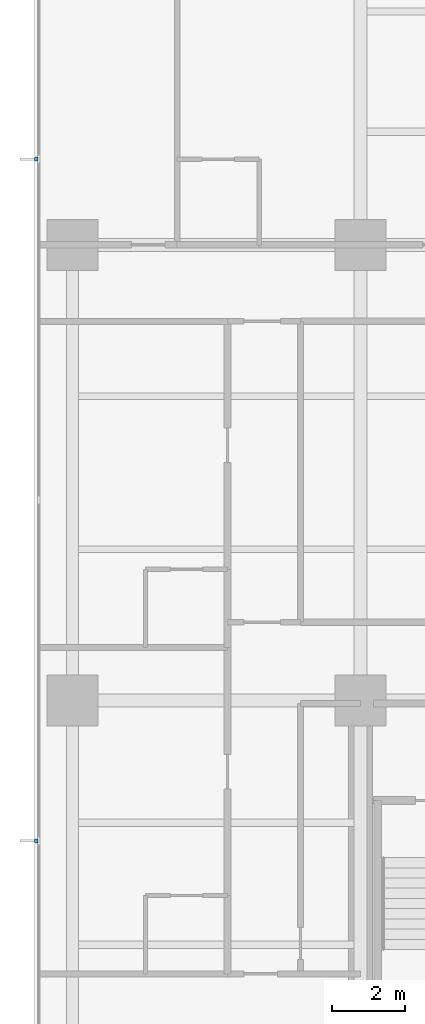
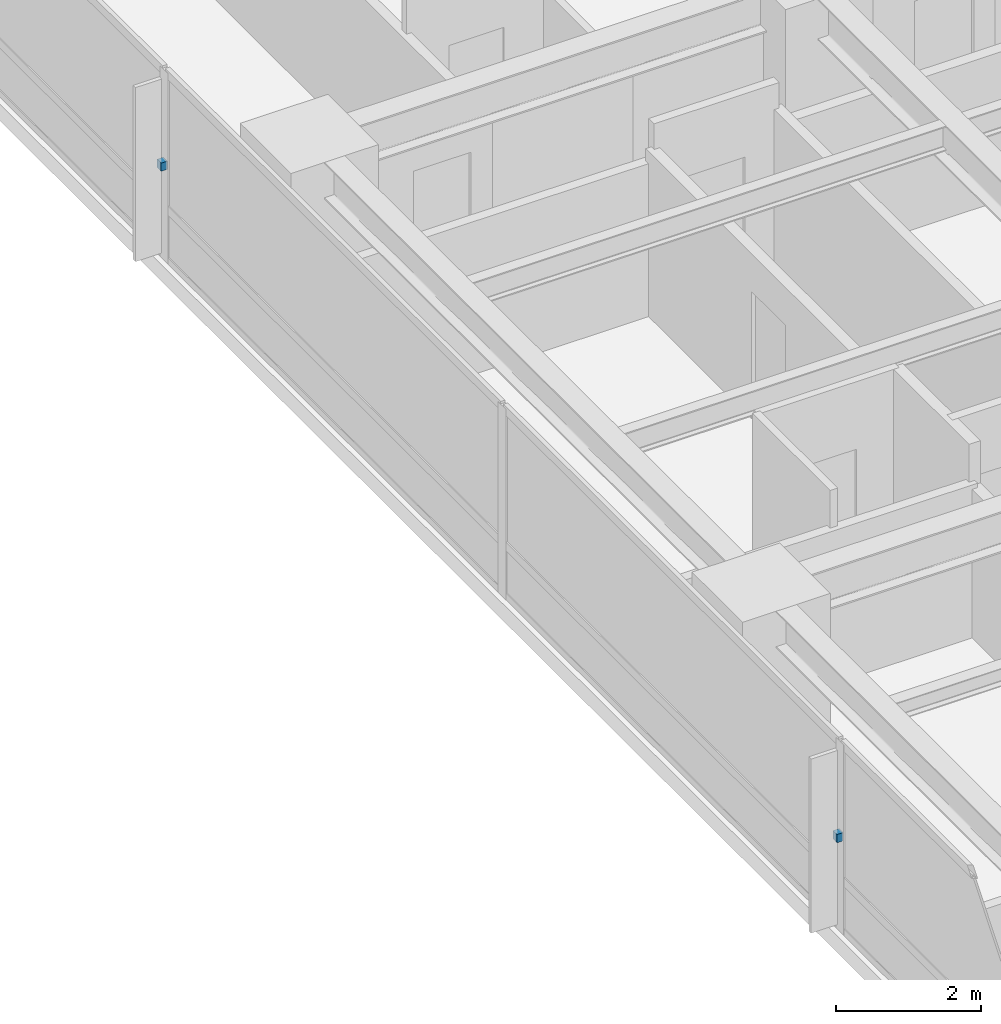
# One storey, part 12 of 16: 2 discrete accessories.
"""IFC4 building model written with IfcOpenShell, lengths in metres."""

import ifcopenshell
import ifcopenshell.guid

model = None  # the IFC model being written
_history = None  # IfcOwnerHistory: only IFC2X3 demands one
_inside = {}  # id of a spatial element -> (the spatial element, [elements in it])
_under = {}  # id of a project, library or spatial element -> (it, [spatial elements below it])
_declared = {}  # id of a project -> (the project, [libraries it declares])
_typed = {}  # id of a type object -> (the type object, [elements of that type])
_made_of = {}  # id of a material, layer set ... -> (it, [elements and type objects made of it])


def new_model(schema):
    """Start an empty IFC model of exactly this schema.

    Asked for "IFC4X3", IfcOpenShell would pick the latest addendum, in which some entities
    have other attributes; the version numbers below select the first issue.
    IFC2X3 requires an IfcOwnerHistory on every rooted entity: one is made here for all.
    """
    global model, _history
    if schema == "IFC4X3":
        model = ifcopenshell.file(schema_version=(4, 3, 0, 0))
    else:
        model = ifcopenshell.file(schema=schema)
    _inside.clear()
    _under.clear()
    _declared.clear()
    _typed.clear()
    _made_of.clear()
    _history = None
    if model.schema == "IFC2X3":
        org = make("IfcOrganization", Name="unknown")
        user = make(
            "IfcPersonAndOrganization",
            ThePerson=make("IfcPerson", FamilyName="unknown"),
            TheOrganization=org,
        )
        app = make(
            "IfcApplication",
            ApplicationDeveloper=org,
            Version="unknown",
            ApplicationFullName="unknown",
            ApplicationIdentifier="unknown",
        )
        _history = make(
            "IfcOwnerHistory",
            OwningUser=user,
            OwningApplication=app,
            ChangeAction="ADDED",
            CreationDate=0,
        )
    return model


def make(cls, **values):
    """One entity of the class cls with the attributes given. An attribute that is None is left unset."""
    return model.create_entity(
        cls, **{name: value for name, value in values.items() if value is not None}
    )


def rooted(cls, **values):
    """An entity with a GlobalId (a new one), such as an element, a storey or a relation."""
    return make(cls, GlobalId=ifcopenshell.guid.new(), OwnerHistory=_history, **values)


def si_unit(unit_type, name, prefix=None):
    """IfcSIUnit, for example si_unit("LENGTHUNIT", "METRE", prefix="MILLI")."""
    return make("IfcSIUnit", UnitType=unit_type, Prefix=prefix, Name=name)


def assignment(units):
    """IfcUnitAssignment: the units of a project."""
    return None if units is None else make("IfcUnitAssignment", Units=units)


def point(xyz):
    """IfcCartesianPoint."""
    return None if xyz is None else make("IfcCartesianPoint", Coordinates=xyz)


def direction(xyz):
    """IfcDirection."""
    return None if xyz is None else make("IfcDirection", DirectionRatios=xyz)


def frame(location, z_axis=None, x_axis=None):
    """IfcAxis2Placement3D, a coordinate frame: its origin and axes. An axis left out is left unset."""
    return make(
        "IfcAxis2Placement3D",
        Location=point(location),
        Axis=direction(z_axis),
        RefDirection=direction(x_axis),
    )


def origin():
    """The frame at (0, 0, 0) with its axes left unset."""
    return frame((0.0, 0.0, 0.0))


def place(relative_to, where):
    """IfcLocalPlacement: puts the frame where relative to a parent placement (None: the world)."""
    return make(
        "IfcLocalPlacement", PlacementRelTo=relative_to, RelativePlacement=where
    )


def context(
    kind, dimensions, precision=None, world=None, true_north=None, identifier=None
):
    """IfcGeometricRepresentationContext, for example the 3D "Model" context."""
    return make(
        "IfcGeometricRepresentationContext",
        ContextIdentifier=identifier,
        ContextType=kind,
        CoordinateSpaceDimension=dimensions,
        Precision=precision,
        WorldCoordinateSystem=world,
        TrueNorth=true_north,
    )


def subcontext(parent, identifier, kind, view, scale=None):
    """IfcGeometricRepresentationSubContext, for example "Body" below "Model"."""
    return make(
        "IfcGeometricRepresentationSubContext",
        ContextIdentifier=identifier,
        ContextType=kind,
        ParentContext=parent,
        TargetScale=scale,
        TargetView=view,
    )


def project(units=None, contexts=None):
    """IfcProject with its units and contexts."""
    return rooted(
        "IfcProject",
        Name="project",
        RepresentationContexts=contexts,
        UnitsInContext=assignment(units),
    )


def spatial(cls, under=None, at=None, **own):
    """A site, building, storey or space (cls), placed at a placement, below another one or the project."""
    s = rooted(cls, ObjectPlacement=at, **own)
    if under is not None:
        _under.setdefault(under.id(), (under, []))[1].append(s)
    return s


def polyline(points):
    """IfcPolyline through the points."""
    return make("IfcPolyline", Points=[point(p) for p in points])


def outline(outer, holes=None, kind="AREA"):
    """IfcArbitraryClosedProfileDef: a profile drawn as a closed curve; with holes, ...WithVoids."""
    if holes is None:
        return make("IfcArbitraryClosedProfileDef", ProfileType=kind, OuterCurve=outer)
    return make(
        "IfcArbitraryProfileDefWithVoids",
        ProfileType=kind,
        OuterCurve=outer,
        InnerCurves=holes,
    )


def extrude(swept, where, along, depth):
    """IfcExtrudedAreaSolid: the profile swept, set in the frame where, extruded along a direction by depth."""
    return make(
        "IfcExtrudedAreaSolid",
        SweptArea=swept,
        Position=where,
        ExtrudedDirection=direction(along),
        Depth=depth,
    )


def shape(context_of_items, identifier, shape_type, items):
    """IfcShapeRepresentation: the items that make up one representation, for example the "Body"."""
    return make(
        "IfcShapeRepresentation",
        ContextOfItems=context_of_items,
        RepresentationIdentifier=identifier,
        RepresentationType=shape_type,
        Items=items,
    )


def material(Name=None, Category=None):
    """IfcMaterial."""
    return make("IfcMaterial", Name=Name, Category=Category)


def made_of(thing, what):
    """Note that an element or type object is made of a material, layer set ...; save() writes the relation."""
    if what is not None:
        _made_of.setdefault(what.id(), (what, []))[1].append(thing)
    return thing


def type_object(cls, material=None, **own):
    """A type object (cls), such as IfcWallType, which elements share."""
    return made_of(rooted(cls, **own), material)


def element(
    cls,
    number,
    at=None,
    inside=None,
    cuts=None,
    type_object=None,
    material=None,
    context=None,
    identifier="Body",
    shape_type=None,
    held_by="IfcProductDefinitionShape",
    body=None,
    shapes=None,
    **own,
):
    """One element of the class cls, such as IfcWall. Its Tag is "e" and its number.

    at: its placement. inside: the storey or other place that contains it. cuts: it is an
    opening in that element (IfcRelVoidsElement). A single representation is given by context,
    identifier, shape_type and body (its items); several are given by shapes. held_by: the class
    of the entity that holds the representations. save() writes the other relations.
    """
    e = rooted(cls, Tag="e%d" % number, ObjectPlacement=at, **own)
    if body is not None:
        shapes = [shape(context, identifier, shape_type, body)]
    if shapes is not None:
        e.Representation = make(held_by, Representations=shapes)
    if inside is not None:
        _inside.setdefault(inside.id(), (inside, []))[1].append(e)
    if cuts is not None:
        rooted(
            "IfcRelVoidsElement", RelatingBuildingElement=cuts, RelatedOpeningElement=e
        )
    if type_object is not None:
        _typed.setdefault(type_object.id(), (type_object, []))[1].append(e)
    return made_of(e, material)


def aggregate(whole, parts):
    """IfcRelAggregates: a whole, such as a stair, and the parts it consists of."""
    return rooted("IfcRelAggregates", RelatingObject=whole, RelatedObjects=parts)


def save(model, path):
    """Write the relations noted so far, then the file.

    IfcRelAggregates (storeys below a building ...), IfcRelContainedInSpatialStructure (elements
    in a storey), IfcRelDefinesByType, IfcRelAssociatesMaterial and IfcRelDeclares: one each for
    every whole, place, type object, material and project.
    """
    for whole, parts in _under.values():
        aggregate(whole, parts)
    for where, things in _inside.values():
        rooted(
            "IfcRelContainedInSpatialStructure",
            RelatedElements=things,
            RelatingStructure=where,
        )
    for kind, things in _typed.values():
        rooted("IfcRelDefinesByType", RelatedObjects=things, RelatingType=kind)
    for what, things in _made_of.values():
        rooted("IfcRelAssociatesMaterial", RelatedObjects=things, RelatingMaterial=what)
    for by, libraries in _declared.values():
        rooted("IfcRelDeclares", RelatingContext=by, RelatedDefinitions=libraries)
    model.write(path)


model = new_model("IFC4")

# Units and contexts
model_context = context("Model", 3, precision=1e-05, world=origin(), true_north=direction((0.0, 1.0)))
body_context = subcontext(model_context, "Body", "Model", "MODEL_VIEW")
ifc_project = project(units=[si_unit("LENGTHUNIT", "METRE"), si_unit("AREAUNIT", "SQUARE_METRE"), si_unit("VOLUMEUNIT", "CUBIC_METRE"), si_unit("PLANEANGLEUNIT", "RADIAN"), si_unit("MASSUNIT", "GRAM", prefix="KILO")], contexts=[model_context])

# Site, building, storey
site_placement = place(None, origin())
site = spatial("IfcSite", under=ifc_project, at=site_placement, CompositionType="ELEMENT")
building_placement = place(site_placement, origin())
building = spatial("IfcBuilding", under=site, at=building_placement, Name="Qalmaran Belvedere Hotel", CompositionType="ELEMENT")
storey_placement = place(building_placement, frame((0.0, 0.0, 43.89990234375)))
storey = spatial("IfcBuildingStorey", under=building, at=storey_placement, Name="L10", CompositionType="ELEMENT", Elevation=43.89990234375)

# Discrete accessories
ifc_material = material(Name="Stainless Steel 1.4401", Category="steel")
discrete_accessory_type = type_object("IfcDiscreteAccessoryType", Name="BRK-FIN-SS316", PredefinedType="BRACKET", material=ifc_material)
discrete_accessory_1_placement = place(storey_placement, frame((0.0, 0.0, 1.56005859375)))
element("IfcDiscreteAccessory", 1, at=discrete_accessory_1_placement, inside=storey, type_object=discrete_accessory_type, Name="L10 Fin Bracket 1", PredefinedType="BRACKET", context=body_context, shape_type="SweptSolid", body=[
    extrude(outline(polyline([(11.455078125, 35.405029296875), (11.357421875, 35.405029296875), (11.357421875, 35.294921875), (11.455078125, 35.294921875), (11.455078125, 35.405029296875)])), origin(), (0.0, 0.0, 1.0), 0.14013671875),
])
discrete_accessory_2_placement = place(storey_placement, frame((0.0, 0.0, 1.56005859375)))
element("IfcDiscreteAccessory", 2, at=discrete_accessory_2_placement, inside=storey, type_object=discrete_accessory_type, Name="L10 Fin Bracket 3", PredefinedType="BRACKET", context=body_context, shape_type="SweptSolid", body=[
    extrude(outline(polyline([(11.455078125, 16.705078125), (11.357421875, 16.705078125), (11.357421875, 16.594970703125), (11.455078125, 16.594970703125), (11.455078125, 16.705078125)])), origin(), (0.0, 0.0, 1.0), 0.14013671875),
])

save(model, "model.ifc")
